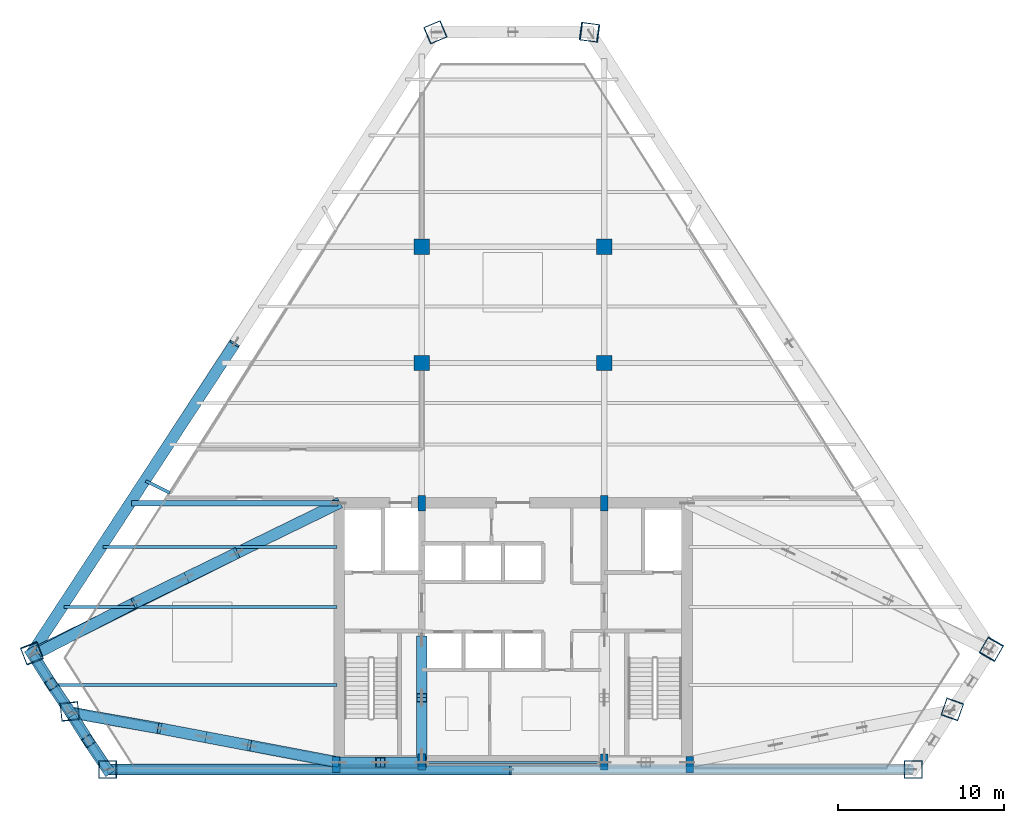
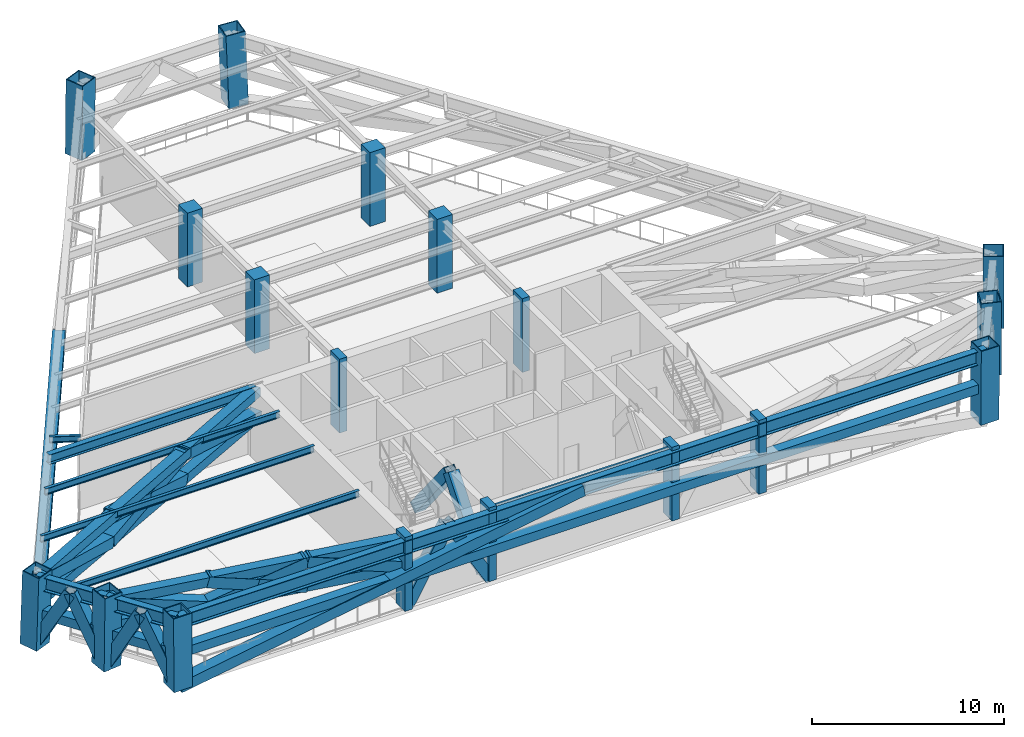
# One storey, part 1 of 9: 27 members, 18 columns, 9 beams.
"""IFC4 building model written with IfcOpenShell, lengths in metres."""

from ifc_helpers import new_model, si_unit, direction, frame, origin, origin_2d, place, context, subcontext, project, spatial, rectangle, hollow_rectangle, i_section, extrude, source, transform, mapped, material, material_profile, profile_set, type_object, type_shapes, element, save


model = new_model("IFC4")

# Units and contexts
model_context = context("Model", 3, precision=1e-05, world=origin(), true_north=direction((0.0, 1.0)))
body_context = subcontext(model_context, "Body", "Model", "MODEL_VIEW")
ifc_project = project(units=[si_unit("LENGTHUNIT", "METRE"), si_unit("AREAUNIT", "SQUARE_METRE"), si_unit("VOLUMEUNIT", "CUBIC_METRE"), si_unit("PLANEANGLEUNIT", "RADIAN"), si_unit("MASSUNIT", "GRAM", prefix="KILO")], contexts=[model_context])

# Site, building, storey
site_placement = place(None, origin())
site = spatial("IfcSite", under=ifc_project, at=site_placement, CompositionType="ELEMENT")
building_placement = place(site_placement, origin())
building = spatial("IfcBuilding", under=site, at=building_placement, Name="Varnakhor Terracotta Tower", CompositionType="ELEMENT")
storey_placement = place(building_placement, frame((0.0, 0.0, 166.300048828125)))
storey = spatial("IfcBuildingStorey", under=building, at=storey_placement, Name="L42", CompositionType="ELEMENT", Elevation=166.300048828125)

# Columns
ifc_material_1 = material(Name="Concrete C50/60", Category="concrete")
ifc_material_profile_1 = material_profile(ifc_material_1, rectangle(XDim=0.449951171875, YDim=0.949951171875, at=origin_2d()), Name="RC PILASTER 950x450")
ifc_profile_set_1 = profile_set([ifc_material_profile_1], Name="Concrete C50/60")
column_type_1 = type_object("IfcColumnType", Name="COL-PIL-950x450", PredefinedType="PILASTER", material=ifc_profile_set_1)
shared_shape_1 = source(origin(), body_context, "Body", "SweptSolid", [
    extrude(rectangle(XDim=0.449951171875, YDim=0.949951171875, at=origin_2d()), origin(), (0.0, 0.0, 1.0), 4.699951171875),
])
for number, where, z_axis, x_axis, name in (
    (1, (-10.64990234375, 0.300048828125, 0.0), (0.0, 0.0, 1.0), (1.0, 0.0, 0.0), "L42 Core Pilaster CP1"),
    (2, (-5.5, 0.449951171875, 0.0), (0.0, 0.0, 1.0), (1.0, 0.0, 0.0), "L42 Core Pilaster CP2"),
    (3, (5.5, 0.449951171875, 0.0), (0.0, 0.0, 1.0), (1.0, 0.0, 0.0), "L42 Core Pilaster CP3"),
    (4, (10.64990234375, 0.300048828125, 0.0), (0.0, 0.0, 1.0), (1.0, 0.0, 0.0), "L42 Core Pilaster CP4"),
    (5, (-5.5, 16.050048828125, 0.0), (0.0, 0.0, 1.0), (1.0, 0.0, 0.0), "L42 Core Pilaster CP5"),
    (6, (5.5, 16.050048828125, 0.0), (0.0, 0.0, 1.0), (1.0, 0.0, 0.0), "L42 Core Pilaster CP6"),
):
    element("IfcColumn", number, at=place(storey_placement, frame(where, z_axis=z_axis, x_axis=x_axis)), inside=storey, type_object=column_type_1, Name=name, PredefinedType="PILASTER", context=body_context, shape_type="MappedRepresentation", body=[
        mapped(shared_shape_1, transform((0.0, 0.0, 0.0), scale=1.0)),
    ])
ifc_material_2 = material(Name="Steel S460", Category="steel")
ifc_material_profile_2 = material_profile(ifc_material_2, hollow_rectangle(XDim=1.10009765625, YDim=1.10009765625, WallThickness=0.054931640625, at=origin_2d()), Name="BOX 1100x1100x55")
ifc_profile_set_2 = profile_set([ifc_material_profile_2], Name="Steel S460")
column_type_2 = type_object("IfcColumnType", Name="COL-MEGA-1100", PredefinedType="COLUMN", material=ifc_profile_set_2)
shared_shape_2 = source(origin(), body_context, "Body", "SweptSolid", [
    extrude(hollow_rectangle(XDim=1.10009765625, YDim=1.10009765625, WallThickness=0.054931640625, at=origin_2d()), origin(), (0.0, 0.0, 1.0), 4.69140625),
])
column_1_placement = place(storey_placement, frame((-24.4375, 0.0, 0.00439453125), z_axis=(-0.008690798497, 0.0, 0.999962234298), x_axis=(0.0, -1.0, 0.0)))
element("IfcColumn", 7, at=column_1_placement, inside=storey, type_object=column_type_2, Name="L42 Perimeter Mega-Column M1", PredefinedType="COLUMN", context=body_context, shape_type="MappedRepresentation", body=[
    mapped(shared_shape_2, transform((0.0, 0.0, 0.0), scale=1.0)),
])
shared_shape_3 = source(origin(), body_context, "Body", "SweptSolid", [
    extrude(hollow_rectangle(XDim=1.10009765625, YDim=1.10009765625, WallThickness=0.054931640625, at=origin_2d()), origin(), (0.0, 0.0, 1.0), 4.691162109375),
])
column_2_placement = place(storey_placement, frame((24.11669921875, 0.0, 0.00439453125), z_axis=(0.006765392916, 0.0, 0.999977114467), x_axis=(0.0, 1.0, 0.0)))
element("IfcColumn", 8, at=column_2_placement, inside=storey, type_object=column_type_2, Name="L42 Perimeter Mega-Column M2", PredefinedType="COLUMN", context=body_context, shape_type="MappedRepresentation", body=[
    mapped(shared_shape_3, transform((0.0, 0.0, 0.0), scale=1.0)),
])
shared_shape_4 = source(origin(), body_context, "Body", "SweptSolid", [
    extrude(hollow_rectangle(XDim=1.10009765625, YDim=1.10009765625, WallThickness=0.054931640625, at=origin_2d()), origin(), (0.0, 0.0, 1.0), 4.691650390625),
])
for number, where, z_axis, x_axis, name in (
    (9, (26.477294921875, 3.63134765625, 0.00439453125), (-0.005255651366, -0.014934375665, 0.999874663421), (0.943293332831, -0.331960371484, 0.0), "L42 Perimeter Mega-Column M3"),
    (10, (-4.689208984375, 44.428955078125, 0.00439453125), (0.01181271858, 0.004943648745, 0.999918006647), (-0.386057671614, 0.922474646908, 0.0), "L42 Perimeter Mega-Column M6"),
    (11, (-26.72216796875, 3.50830078125, 0.00439453125), (0.001717192258, -0.015766947098, 0.999874219405), (0.994121454153, 0.108270653423, 0.0), "L42 Perimeter Mega-Column M8"),
):
    element("IfcColumn", number, at=place(storey_placement, frame(where, z_axis=z_axis, x_axis=x_axis)), inside=storey, type_object=column_type_2, Name=name, PredefinedType="COLUMN", context=body_context, shape_type="MappedRepresentation", body=[
        mapped(shared_shape_4, transform((0.0, 0.0, 0.0), scale=1.0)),
    ])
shared_shape_5 = source(origin(), body_context, "Body", "SweptSolid", [
    extrude(hollow_rectangle(XDim=1.10009765625, YDim=1.10009765625, WallThickness=0.054931640625, at=origin_2d()), origin(), (0.0, 0.0, 1.0), 4.69384765625),
])
for number, where, z_axis, x_axis, name in (
    (12, (28.83740234375, 7.2626953125, 0.00439453125), (-0.017163922923, -0.029802811621, 0.999408421102), (0.866563000652, -0.499067696711, 0.0), "L42 Perimeter Mega-Column M4"),
    (13, (-29.007080078125, 7.016357421875, 0.00439453125), (0.012223057782, -0.031467872163, 0.999430022503), (0.932149171083, 0.362074471413, 0.0), "L42 Perimeter Mega-Column M7"),
):
    element("IfcColumn", number, at=place(storey_placement, frame(where, z_axis=z_axis, x_axis=x_axis)), inside=storey, type_object=column_type_2, Name=name, PredefinedType="COLUMN", context=body_context, shape_type="MappedRepresentation", body=[
        mapped(shared_shape_5, transform((0.0, 0.0, 0.0), scale=1.0)),
    ])
shared_shape_6 = source(origin(), body_context, "Body", "SweptSolid", [
    extrude(hollow_rectangle(XDim=1.10009765625, YDim=1.10009765625, WallThickness=0.054931640625, at=origin_2d()), origin(), (0.0, 0.0, 1.0), 4.694580078125),
])
column_3_placement = place(storey_placement, frame((4.63134765625, 44.428955078125, 0.00439453125), z_axis=(-0.037547855838, 0.004940507347, 0.999282617636), x_axis=(-0.130454512571, -0.991454295543, 0.0)))
element("IfcColumn", 14, at=column_3_placement, inside=storey, type_object=column_type_2, Name="L42 Perimeter Mega-Column M5", PredefinedType="COLUMN", context=body_context, shape_type="MappedRepresentation", body=[
    mapped(shared_shape_6, transform((0.0, 0.0, 0.0), scale=1.0)),
])
ifc_material_profile_3 = material_profile(ifc_material_1, rectangle(XDim=0.919921875, YDim=0.919921875, at=origin_2d()), Name="RC 920x920")
ifc_profile_set_3 = profile_set([ifc_material_profile_3], Name="Concrete C50/60")
column_type_3 = type_object("IfcColumnType", Name="COL-RC-920", PredefinedType="COLUMN", material=ifc_profile_set_3)
shared_shape_7 = source(origin(), body_context, "Body", "SweptSolid", [
    extrude(rectangle(XDim=0.919921875, YDim=0.919921875, at=origin_2d()), origin(), (0.0, 0.0, 1.0), 4.699951171875),
])
for number, where, z_axis, x_axis, name in (
    (15, (-5.5, 24.5, 0.0), (0.0, 0.0, 1.0), (1.0, 0.0, 0.0), "L42 Interior Tower Column IC1"),
    (16, (5.5, 24.5, 0.0), (0.0, 0.0, 1.0), (1.0, 0.0, 0.0), "L42 Interior Tower Column IC2"),
    (17, (-5.5, 31.5, 0.0), (0.0, 0.0, 1.0), (1.0, 0.0, 0.0), "L42 Interior Tower Column IC3"),
    (18, (5.5, 31.5, 0.0), (0.0, 0.0, 1.0), (1.0, 0.0, 0.0), "L42 Interior Tower Column IC4"),
):
    element("IfcColumn", number, at=place(storey_placement, frame(where, z_axis=z_axis, x_axis=x_axis)), inside=storey, type_object=column_type_3, Name=name, PredefinedType="COLUMN", context=body_context, shape_type="MappedRepresentation", body=[
        mapped(shared_shape_7, transform((0.0, 0.0, 0.0), scale=1.0)),
    ])

# Beams
ifc_material_3 = material(Name="Steel S355", Category="steel")
ifc_material_profile_4 = material_profile(ifc_material_3, i_section(OverallWidth=0.1201171875, OverallDepth=0.239990234375, WebThickness=0.006103515625, FlangeThickness=0.009765625, FilletRadius=0.01806640625, at=origin_2d()), Name="IPE240")
ifc_profile_set_4 = profile_set([ifc_material_profile_4], Name="Steel S355")
beam_type_1 = type_object("IfcBeamType", Name="LNT-IPE240", PredefinedType="LINTEL", material=ifc_profile_set_4)
shared_shape_8 = source(origin(), body_context, "Body", "SweptSolid", [
    extrude(i_section(OverallWidth=0.1201171875, OverallDepth=0.239990234375, WebThickness=0.006103515625, FlangeThickness=0.009765625, FilletRadius=0.01806640625, at=origin_2d()), origin(), (0.0, 0.0, 1.0), 11.0),
])
type_shapes(beam_type_1, [shared_shape_8])
beam_1_placement = place(storey_placement, frame((-5.5, 0.419921875, 4.349853515625), z_axis=(1.0, 0.0, 0.0), x_axis=(0.0, 1.0, 0.0)))
element("IfcBeam", 19, at=beam_1_placement, inside=storey, type_object=beam_type_1, Name="L42 Core South Coupling Lintel", PredefinedType="LINTEL", context=body_context, shape_type="MappedRepresentation", body=[
    mapped(shared_shape_8, transform((0.0, 0.0, 0.0), scale=1.0)),
])
ifc_material_profile_5 = material_profile(ifc_material_3, i_section(OverallWidth=0.39990234375, OverallDepth=0.85498046875, WebThickness=0.01806640625, FlangeThickness=0.029052734375, FilletRadius=0.01806640625, at=origin_2d()), Name="W33X201")
ifc_profile_set_5 = profile_set([ifc_material_profile_5], Name="Steel S355")
beam_type_2 = type_object("IfcBeamType", Name="BM-W33X201", PredefinedType="BEAM", material=ifc_profile_set_5)
shared_shape_9 = source(origin(), body_context, "Body", "SweptSolid", [
    extrude(i_section(OverallWidth=0.39990234375, OverallDepth=0.85498046875, WebThickness=0.01806640625, FlangeThickness=0.029052734375, FilletRadius=0.01806640625, at=origin_2d()), origin(), (0.0, 0.0, 1.0), 48.626708984375),
])
beam_2_placement = place(storey_placement, frame((-24.478271484375, 0.0, 4.04248046875), z_axis=(1.0, 0.0, 0.0), x_axis=(0.0, 1.0, 0.0)))
element("IfcBeam", 20, at=beam_2_placement, inside=storey, type_object=beam_type_2, Name="L42 Perimeter Spandrel 1", PredefinedType="BEAM", context=body_context, shape_type="MappedRepresentation", body=[
    mapped(shared_shape_9, transform((0.0, 0.0, 0.0), scale=1.0)),
])
shared_shape_10 = source(origin(), body_context, "Body", "SweptSolid", [
    extrude(i_section(OverallWidth=0.39990234375, OverallDepth=0.85498046875, WebThickness=0.01806640625, FlangeThickness=0.029052734375, FilletRadius=0.01806640625, at=origin_2d()), origin(), (0.0, 0.0, 1.0), 4.097900390625),
])
for number, where, z_axis, x_axis, name in (
    (21, (-28.94970703125, 6.86865234375, 4.04248046875), (0.545551544238, -0.838077271246, 0.0), (0.838077271246, 0.545551544238, 0.0), "L42 Perimeter Spandrel 7"),
    (22, (-26.714111328125, 3.434326171875, 4.04248046875), (0.545593387885, -0.83805003138, 0.0), (0.83805003138, 0.545593387885, 0.0), "L42 Perimeter Spandrel 8"),
):
    element("IfcBeam", number, at=place(storey_placement, frame(where, z_axis=z_axis, x_axis=x_axis)), inside=storey, type_object=beam_type_2, Name=name, PredefinedType="BEAM", context=body_context, shape_type="MappedRepresentation", body=[
        mapped(shared_shape_10, transform((0.0, 0.0, 0.0), scale=1.0)),
    ])
ifc_material_profile_6 = material_profile(ifc_material_3, i_section(OverallWidth=0.324951171875, OverallDepth=0.615966796875, WebThickness=0.013916015625, FlangeThickness=0.02197265625, FilletRadius=0.01806640625, at=origin_2d()), Name="W24X117")
ifc_profile_set_6 = profile_set([ifc_material_profile_6], Name="Steel S355")
beam_type_3 = type_object("IfcBeamType", Name="BM-W24X117", PredefinedType="BEAM", material=ifc_profile_set_6)
shared_shape_11 = source(origin(), body_context, "Body", "SweptSolid", [
    extrude(i_section(OverallWidth=0.324951171875, OverallDepth=0.615966796875, WebThickness=0.013916015625, FlangeThickness=0.02197265625, FilletRadius=0.01806640625, at=origin_2d()), origin(), (0.0, 0.0, 1.0), 12.45947265625),
])
beam_3_placement = place(storey_placement, frame((-23.009521484375, 16.050048828125, 4.161865234375), z_axis=(1.0, 0.0, 0.0), x_axis=(0.0, 1.0, 0.0)))
element("IfcBeam", 23, at=beam_3_placement, inside=storey, type_object=beam_type_3, Name="L42 Wing Girder W", PredefinedType="BEAM", context=body_context, shape_type="MappedRepresentation", body=[
    mapped(shared_shape_11, transform((0.0, 0.0, 0.0), scale=1.0)),
])
ifc_material_profile_7 = material_profile(ifc_material_3, i_section(OverallWidth=0.179931640625, OverallDepth=0.4130859375, WebThickness=0.009765625, FlangeThickness=0.01611328125, FilletRadius=0.01806640625, at=origin_2d()), Name="W16X50")
ifc_profile_set_7 = profile_set([ifc_material_profile_7], Name="Steel S355")
beam_type_4 = type_object("IfcBeamType", Name="JST-W16X50", PredefinedType="JOIST", material=ifc_profile_set_7)
shared_shape_12 = source(origin(), body_context, "Body", "SweptSolid", [
    extrude(i_section(OverallWidth=0.179931640625, OverallDepth=0.4130859375, WebThickness=0.009765625, FlangeThickness=0.01611328125, FilletRadius=0.01806640625, at=origin_2d()), origin(), (0.0, 0.0, 1.0), 17.1982421875),
])
beam_4_placement = place(storey_placement, frame((-27.79833984375, 5.10009765625, 4.263427734375), z_axis=(1.0, 0.0, 0.0), x_axis=(0.0, 1.0, 0.0)))
element("IfcBeam", 24, at=beam_4_placement, inside=storey, type_object=beam_type_4, Name="L42 Floor Joist W1", PredefinedType="JOIST", context=body_context, shape_type="MappedRepresentation", body=[
    mapped(shared_shape_12, transform((0.0, 0.0, 0.0), scale=1.0)),
])
shared_shape_13 = source(origin(), body_context, "Body", "SweptSolid", [
    extrude(i_section(OverallWidth=0.179931640625, OverallDepth=0.4130859375, WebThickness=0.009765625, FlangeThickness=0.01611328125, FilletRadius=0.01806640625, at=origin_2d()), origin(), (0.0, 0.0, 1.0), 16.453125),
])
beam_5_placement = place(storey_placement, frame((-27.05322265625, 9.800048828125, 4.263427734375), z_axis=(1.0, 0.0, 0.0), x_axis=(0.0, 1.0, 0.0)))
element("IfcBeam", 25, at=beam_5_placement, inside=storey, type_object=beam_type_4, Name="L42 Floor Joist W2", PredefinedType="JOIST", context=body_context, shape_type="MappedRepresentation", body=[
    mapped(shared_shape_13, transform((0.0, 0.0, 0.0), scale=1.0)),
])
shared_shape_14 = source(origin(), body_context, "Body", "SweptSolid", [
    extrude(i_section(OverallWidth=0.179931640625, OverallDepth=0.4130859375, WebThickness=0.009765625, FlangeThickness=0.01611328125, FilletRadius=0.01806640625, at=origin_2d()), origin(), (0.0, 0.0, 1.0), 14.1240234375),
])
beam_6_placement = place(storey_placement, frame((-24.72412109375, 13.39990234375, 4.263427734375), z_axis=(1.0, 0.0, 0.0), x_axis=(0.0, 1.0, 0.0)))
element("IfcBeam", 26, at=beam_6_placement, inside=storey, type_object=beam_type_4, Name="L42 Floor Joist W3", PredefinedType="JOIST", context=body_context, shape_type="MappedRepresentation", body=[
    mapped(shared_shape_14, transform((0.0, 0.0, 0.0), scale=1.0)),
])

# Members
ifc_material_profile_8 = material_profile(ifc_material_2, hollow_rectangle(XDim=0.64990234375, YDim=0.64990234375, WallThickness=0.0400390625, at=origin_2d()), Name="HSS650X650X40")
ifc_profile_set_8 = profile_set([ifc_material_profile_8], Name="Steel S460")
member_type_1 = type_object("IfcMemberType", Name="MBR-MEGA-650", PredefinedType="BRACE", material=ifc_profile_set_8)
shared_shape_15 = source(origin(), body_context, "Body", "SweptSolid", [
    extrude(hollow_rectangle(XDim=0.64990234375, YDim=0.64990234375, WallThickness=0.0400390625, at=origin_2d()), origin(), (0.0, 0.0, 1.0), 4.9912109375),
])
for number, where, z_axis, x_axis, name in (
    (27, (-10.5, 0.419921875, 0.0), (0.5008723715, 0.0, 0.86552115368), (0.0, 1.0, 0.0), "L42 Core Coupled Brace CSWA"),
    (28, (-5.5, 0.419921875, 0.0), (-0.5008723715, 0.0, 0.86552115368), (0.0, -1.0, 0.0), "L42 Core Coupled Brace CSWB"),
):
    element("IfcMember", number, at=place(storey_placement, frame(where, z_axis=z_axis, x_axis=x_axis)), inside=storey, type_object=member_type_1, Name=name, PredefinedType="BRACE", context=body_context, shape_type="MappedRepresentation", body=[
        mapped(shared_shape_15, transform((0.0, 0.0, 0.0), scale=1.0)),
    ])
shared_shape_16 = source(origin(), body_context, "Body", "SweptSolid", [
    extrude(hollow_rectangle(XDim=0.64990234375, YDim=0.64990234375, WallThickness=0.0400390625, at=origin_2d()), origin(), (0.0, 0.0, 1.0), 5.544189453125),
])
for number, where, z_axis, x_axis, name in (
    (29, (-5.5, 0.85009765625, 0.0), (0.0, 0.626760388554, 0.779212047738), (-1.0, 0.0, 0.0), "L42 Core Coupled Brace CWWA"),
    (30, (-5.5, 7.800048828125, 0.0), (0.0, -0.626787124677, 0.779190541742), (1.0, 0.0, 0.0), "L42 Core Coupled Brace CWWB"),
):
    element("IfcMember", number, at=place(storey_placement, frame(where, z_axis=z_axis, x_axis=x_axis)), inside=storey, type_object=member_type_1, Name=name, PredefinedType="BRACE", context=body_context, shape_type="MappedRepresentation", body=[
        mapped(shared_shape_16, transform((0.0, 0.0, 0.0), scale=1.0)),
    ])
ifc_material_profile_9 = material_profile(ifc_material_2, hollow_rectangle(XDim=0.679931640625, YDim=0.679931640625, WallThickness=0.048095703125, at=origin_2d()), Name="HSS680X680X48")
ifc_profile_set_9 = profile_set([ifc_material_profile_9], Name="Steel S460")
member_type_2 = type_object("IfcMemberType", Name="MBR-OUTRIGGER-680", PredefinedType="BRACE", material=ifc_profile_set_9)
shared_shape_17 = source(origin(), body_context, "Body", "SweptSolid", [
    extrude(hollow_rectangle(XDim=0.679931640625, YDim=0.679931640625, WallThickness=0.048095703125, at=origin_2d()), origin(), (0.0, 0.0, 1.0), 24.60693359375),
])
member_1_placement = place(storey_placement, frame((-24.4375, 0.0, 0.0), z_axis=(0.986413491851, 0.0, 0.164281536075), x_axis=(0.0, 1.0, 0.0)))
element("IfcMember", 31, at=member_1_placement, inside=storey, type_object=member_type_2, Name="L42 Belt-Truss Diagonal S1A", PredefinedType="BRACE", context=body_context, shape_type="MappedRepresentation", body=[
    mapped(shared_shape_17, transform((0.0, 0.0, 0.0), scale=1.0)),
])
ifc_material_profile_10 = material_profile(ifc_material_2, hollow_rectangle(XDim=0.580078125, YDim=0.580078125, WallThickness=0.0380859375, at=origin_2d()), Name="HSS580X580X38")
ifc_profile_set_10 = profile_set([ifc_material_profile_10], Name="Steel S460")
member_type_3 = type_object("IfcMemberType", Name="MBR-BELT-CHORD-580", PredefinedType="CHORD", material=ifc_profile_set_10)
shared_shape_18 = source(origin(), body_context, "Body", "SweptSolid", [
    extrude(hollow_rectangle(XDim=0.580078125, YDim=0.580078125, WallThickness=0.0380859375, at=origin_2d()), origin(), (0.0, 0.0, 1.0), 48.55419921875),
])
member_2_placement = place(storey_placement, frame((-24.4375, 0.0, 2.14990234375), z_axis=(1.0, 0.0, 0.0), x_axis=(0.0, 1.0, 0.0)))
element("IfcMember", 32, at=member_2_placement, inside=storey, type_object=member_type_3, Name="L42 Belt-Truss Bottom Chord S1", PredefinedType="CHORD", context=body_context, shape_type="MappedRepresentation", body=[
    mapped(shared_shape_18, transform((0.0, 0.0, 0.0), scale=1.0)),
])
shared_shape_19 = source(origin(), body_context, "Body", "SweptSolid", [
    extrude(hollow_rectangle(XDim=0.679931640625, YDim=0.679931640625, WallThickness=0.048095703125, at=origin_2d()), origin(), (0.0, 0.0, 1.0), 22.65283203125),
])
member_3_placement = place(storey_placement, frame((-29.007080078125, 7.016357421875, 0.0), z_axis=(0.539230287597, 0.823034000412, 0.178453722584), x_axis=(-0.836460610163, 0.548027050104, 0.0)))
element("IfcMember", 33, at=member_3_placement, inside=storey, type_object=member_type_2, Name="L42 Belt-Truss Diagonal NWB", PredefinedType="BRACE", context=body_context, shape_type="MappedRepresentation", body=[
    mapped(shared_shape_19, transform((0.0, 0.0, 0.0), scale=1.0)),
])
shared_shape_20 = source(origin(), body_context, "Body", "SweptSolid", [
    extrude(hollow_rectangle(XDim=0.679931640625, YDim=0.679931640625, WallThickness=0.048095703125, at=origin_2d()), origin(), (0.0, 0.0, 1.0), 4.6044921875),
])
member_4_placement = place(storey_placement, frame((-29.007080078125, 7.016357421875, 0.0), z_axis=(0.255255877151, -0.404994680033, 0.877965686303), x_axis=(0.845988599445, 0.533200984254, 0.0)))
element("IfcMember", 34, at=member_4_placement, inside=storey, type_object=member_type_2, Name="L42 Belt-Truss Diagonal W1A", PredefinedType="BRACE", context=body_context, shape_type="MappedRepresentation", body=[
    mapped(shared_shape_20, transform((0.0, 0.0, 0.0), scale=1.0)),
])
shared_shape_21 = source(origin(), body_context, "Body", "SweptSolid", [
    extrude(hollow_rectangle(XDim=0.679931640625, YDim=0.679931640625, WallThickness=0.048095703125, at=origin_2d()), origin(), (0.0, 0.0, 1.0), 4.502685546875),
])
member_5_placement = place(storey_placement, frame((-26.72216796875, 3.50830078125, 0.0), z_axis=(-0.246439851941, 0.364969558508, 0.89781101616), x_axis=(-0.828758737767, -0.559606070888, 0.0)))
element("IfcMember", 35, at=member_5_placement, inside=storey, type_object=member_type_2, Name="L42 Belt-Truss Diagonal W1B", PredefinedType="BRACE", context=body_context, shape_type="MappedRepresentation", body=[
    mapped(shared_shape_21, transform((0.0, 0.0, 0.0), scale=1.0)),
])
shared_shape_22 = source(origin(), body_context, "Body", "SweptSolid", [
    extrude(hollow_rectangle(XDim=0.580078125, YDim=0.580078125, WallThickness=0.0380859375, at=origin_2d()), origin(), (0.0, 0.0, 1.0), 4.1865234375),
])
for number, where, z_axis, x_axis, name in (
    (36, (-29.007080078125, 7.016357421875, 2.14990234375), (0.545773165164, -0.837932964017, 0.0), (0.837932964017, 0.545773165164, 0.0), "L42 Belt-Truss Bottom Chord W1"),
    (37, (-26.72216796875, 3.50830078125, 2.14990234375), (0.545705550657, -0.837976999674, 0.0), (0.837976999674, 0.545705550657, 0.0), "L42 Belt-Truss Bottom Chord W2"),
):
    element("IfcMember", number, at=place(storey_placement, frame(where, z_axis=z_axis, x_axis=x_axis)), inside=storey, type_object=member_type_3, Name=name, PredefinedType="CHORD", context=body_context, shape_type="MappedRepresentation", body=[
        mapped(shared_shape_22, transform((0.0, 0.0, 0.0), scale=1.0)),
    ])
shared_shape_23 = source(origin(), body_context, "Body", "SweptSolid", [
    extrude(hollow_rectangle(XDim=0.679931640625, YDim=0.679931640625, WallThickness=0.048095703125, at=origin_2d()), origin(), (0.0, 0.0, 1.0), 4.562744140625),
])
member_6_placement = place(storey_placement, frame((-26.72216796875, 3.50830078125, 0.0), z_axis=(0.246779444151, -0.392589068026, 0.885987431971), x_axis=(0.846627636464, 0.532185724325, 0.0)))
element("IfcMember", 38, at=member_6_placement, inside=storey, type_object=member_type_2, Name="L42 Belt-Truss Diagonal W2A", PredefinedType="BRACE", context=body_context, shape_type="MappedRepresentation", body=[
    mapped(shared_shape_23, transform((0.0, 0.0, 0.0), scale=1.0)),
])
shared_shape_24 = source(origin(), body_context, "Body", "SweptSolid", [
    extrude(hollow_rectangle(XDim=0.679931640625, YDim=0.679931640625, WallThickness=0.048095703125, at=origin_2d()), origin(), (0.0, 0.0, 1.0), 4.542236328125),
])
member_7_placement = place(storey_placement, frame((-24.4375, 0.0, 0.0), z_axis=(-0.25508942143, 0.378011778533, 0.88996431522), x_axis=(-0.82891835205, -0.559369614507, 0.0)))
element("IfcMember", 39, at=member_7_placement, inside=storey, type_object=member_type_2, Name="L42 Belt-Truss Diagonal W2B", PredefinedType="BRACE", context=body_context, shape_type="MappedRepresentation", body=[
    mapped(shared_shape_24, transform((0.0, 0.0, 0.0), scale=1.0)),
])
shared_shape_25 = source(origin(), body_context, "Body", "SweptSolid", [
    extrude(hollow_rectangle(XDim=0.580078125, YDim=0.580078125, WallThickness=0.0380859375, at=origin_2d()), origin(), (0.0, 0.0, 1.0), 16.513427734375),
])
member_8_placement = place(storey_placement, frame((-10.5, 0.419921875, 2.550048828125), z_axis=(-0.982355902185, 0.187021072189, 0.0), x_axis=(-0.187021072189, -0.982355902185, 0.0)))
element("IfcMember", 40, at=member_8_placement, inside=storey, type_object=member_type_3, Name="L42 Outrigger Bottom Chord OW1", PredefinedType="CHORD", context=body_context, shape_type="MappedRepresentation", body=[
    mapped(shared_shape_25, transform((0.0, 0.0, 0.0), scale=1.0)),
])
shared_shape_26 = source(origin(), body_context, "Body", "SweptSolid", [
    extrude(hollow_rectangle(XDim=0.580078125, YDim=0.580078125, WallThickness=0.0380859375, at=origin_2d()), origin(), (0.0, 0.0, 1.0), 16.491943359375),
])
member_9_placement = place(storey_placement, frame((-10.5, 0.419921875, 4.119873046875), z_axis=(-0.983153751801, 0.182780470292, 0.0), x_axis=(-0.182780470292, -0.983153751801, 0.0)))
element("IfcMember", 41, at=member_9_placement, inside=storey, type_object=member_type_3, Name="L42 Outrigger Top Chord OW1", PredefinedType="CHORD", context=body_context, shape_type="MappedRepresentation", body=[
    mapped(shared_shape_26, transform((0.0, 0.0, 0.0), scale=1.0)),
])
shared_shape_27 = source(origin(), body_context, "Body", "SweptSolid", [
    extrude(hollow_rectangle(XDim=0.679931640625, YDim=0.679931640625, WallThickness=0.048095703125, at=origin_2d()), origin(), (0.0, 0.0, 1.0), 5.72412109375),
])
member_10_placement = place(storey_placement, frame((-10.5, 0.419921875, 2.550048828125), z_axis=(-0.944688893423, 0.179861531607, 0.274249383029), x_axis=(-0.187032622957, -0.982353703077, 0.0)))
element("IfcMember", 42, at=member_10_placement, inside=storey, type_object=member_type_2, Name="L42 Outrigger Web Diagonal OW1-1", PredefinedType="BRACE", context=body_context, shape_type="MappedRepresentation", body=[
    mapped(shared_shape_27, transform((0.0, 0.0, 0.0), scale=1.0)),
])
shared_shape_28 = source(origin(), body_context, "Body", "SweptSolid", [
    extrude(hollow_rectangle(XDim=0.679931640625, YDim=0.679931640625, WallThickness=0.048095703125, at=origin_2d()), origin(), (0.0, 0.0, 1.0), 5.723876953125),
])
member_11_placement = place(storey_placement, frame((-15.907470703125, 1.449462890625, 4.119873046875), z_axis=(-0.944691552254, 0.179827505161, -0.27426253752), x_axis=(-0.186997969376, -0.982360300221, 0.0)))
element("IfcMember", 43, at=member_11_placement, inside=storey, type_object=member_type_2, Name="L42 Outrigger Continuous X-Diagonal OW1-2", PredefinedType="BRACE", context=body_context, shape_type="MappedRepresentation", body=[
    mapped(shared_shape_28, transform((0.0, 0.0, 0.0), scale=1.0)),
])
shared_shape_29 = source(origin(), body_context, "Body", "SweptSolid", [
    extrude(hollow_rectangle(XDim=0.679931640625, YDim=0.679931640625, WallThickness=0.048095703125, at=origin_2d()), origin(), (0.0, 0.0, 1.0), 2.86181640625),
])
for number, where, z_axis, x_axis, name in (
    (44, (-15.907470703125, 1.449462890625, 2.550048828125), (-0.944691552254, 0.179827505161, 0.27426253752), (-0.186997969376, -0.982360300221, 0.0), "L42 Outrigger Split X-Diagonal OW1-3A"),
    (45, (-18.611083984375, 1.964111328125, 3.3349609375), (-0.944691552254, 0.179827505161, 0.27426253752), (-0.186997969376, -0.982360300221, 0.0), "L42 Outrigger Split X-Diagonal OW1-3B"),
):
    element("IfcMember", number, at=place(storey_placement, frame(where, z_axis=z_axis, x_axis=x_axis)), inside=storey, type_object=member_type_2, Name=name, PredefinedType="BRACE", context=body_context, shape_type="MappedRepresentation", body=[
        mapped(shared_shape_29, transform((0.0, 0.0, 0.0), scale=1.0)),
    ])
shared_shape_30 = source(origin(), body_context, "Body", "SweptSolid", [
    extrude(hollow_rectangle(XDim=0.679931640625, YDim=0.679931640625, WallThickness=0.048095703125, at=origin_2d()), origin(), (0.0, 0.0, 1.0), 5.70361328125),
])
member_12_placement = place(storey_placement, frame((-21.314697265625, 2.478759765625, 2.550048828125), z_axis=(-0.946666645707, 0.16753722424, 0.275233610594), x_axis=(-0.174267908083, -0.984698276739, 0.0)))
element("IfcMember", 46, at=member_12_placement, inside=storey, type_object=member_type_2, Name="L42 Outrigger Web Diagonal OW1-4", PredefinedType="BRACE", context=body_context, shape_type="MappedRepresentation", body=[
    mapped(shared_shape_30, transform((0.0, 0.0, 0.0), scale=1.0)),
])
shared_shape_31 = source(origin(), body_context, "Body", "SweptSolid", [
    extrude(hollow_rectangle(XDim=0.580078125, YDim=0.580078125, WallThickness=0.0380859375, at=origin_2d()), origin(), (0.0, 0.0, 1.0), 20.59423828125),
])
member_13_placement = place(storey_placement, frame((-10.5, 16.050048828125, 2.550048828125), z_axis=(-0.898656533073, -0.438652978521, 0.0), x_axis=(0.438652978521, -0.898656533073, 0.0)))
element("IfcMember", 47, at=member_13_placement, inside=storey, type_object=member_type_3, Name="L42 Outrigger Bottom Chord OW2", PredefinedType="CHORD", context=body_context, shape_type="MappedRepresentation", body=[
    mapped(shared_shape_31, transform((0.0, 0.0, 0.0), scale=1.0)),
])
shared_shape_32 = source(origin(), body_context, "Body", "SweptSolid", [
    extrude(hollow_rectangle(XDim=0.580078125, YDim=0.580078125, WallThickness=0.0380859375, at=origin_2d()), origin(), (0.0, 0.0, 1.0), 20.60791015625),
])
member_14_placement = place(storey_placement, frame((-10.5, 16.050048828125, 4.119873046875), z_axis=(-0.895269098271, -0.445525803608, 0.0), x_axis=(0.445525803608, -0.895269098271, 0.0)))
element("IfcMember", 48, at=member_14_placement, inside=storey, type_object=member_type_3, Name="L42 Outrigger Top Chord OW2", PredefinedType="CHORD", context=body_context, shape_type="MappedRepresentation", body=[
    mapped(shared_shape_32, transform((0.0, 0.0, 0.0), scale=1.0)),
])
shared_shape_33 = source(origin(), body_context, "Body", "SweptSolid", [
    extrude(hollow_rectangle(XDim=0.679931640625, YDim=0.679931640625, WallThickness=0.048095703125, at=origin_2d()), origin(), (0.0, 0.0, 1.0), 7.041748046875),
])
for number, where, z_axis, x_axis, name in (
    (49, (-10.5, 16.050048828125, 2.550048828125), (-0.876039620072, -0.427618833068, 0.222927606343), (0.438657651725, -0.89865425197, 0.0), "L42 Outrigger Web Diagonal OW2-1"),
    (50, (-16.6689453125, 13.038818359375, 4.119873046875), (-0.876039620072, -0.427618833068, -0.222927606343), (0.438657651725, -0.89865425197, 0.0), "L42 Outrigger Continuous X-Diagonal OW2-2"),
):
    element("IfcMember", number, at=place(storey_placement, frame(where, z_axis=z_axis, x_axis=x_axis)), inside=storey, type_object=member_type_2, Name=name, PredefinedType="BRACE", context=body_context, shape_type="MappedRepresentation", body=[
        mapped(shared_shape_33, transform((0.0, 0.0, 0.0), scale=1.0)),
    ])
shared_shape_34 = source(origin(), body_context, "Body", "SweptSolid", [
    extrude(hollow_rectangle(XDim=0.679931640625, YDim=0.679931640625, WallThickness=0.048095703125, at=origin_2d()), origin(), (0.0, 0.0, 1.0), 3.52099609375),
])
for number, where, z_axis, x_axis, name in (
    (51, (-16.6689453125, 13.038818359375, 2.550048828125), (-0.876039620072, -0.427618833068, 0.222927606343), (0.438657651725, -0.89865425197, 0.0), "L42 Outrigger Split X-Diagonal OW2-3A"),
    (52, (-19.75341796875, 11.533203125, 3.3349609375), (-0.876039620072, -0.427618833068, 0.222927606343), (0.438657651725, -0.89865425197, 0.0), "L42 Outrigger Split X-Diagonal OW2-3B"),
):
    element("IfcMember", number, at=place(storey_placement, frame(where, z_axis=z_axis, x_axis=x_axis)), inside=storey, type_object=member_type_2, Name=name, PredefinedType="BRACE", context=body_context, shape_type="MappedRepresentation", body=[
        mapped(shared_shape_34, transform((0.0, 0.0, 0.0), scale=1.0)),
    ])
shared_shape_35 = source(origin(), body_context, "Body", "SweptSolid", [
    extrude(hollow_rectangle(XDim=0.679931640625, YDim=0.679931640625, WallThickness=0.048095703125, at=origin_2d()), origin(), (0.0, 0.0, 1.0), 7.056640625),
])
member_15_placement = place(storey_placement, frame((-22.837890625, 10.027587890625, 2.550048828125), z_axis=(-0.866096802747, -0.447648259597, 0.222457555391), x_axis=(0.459153556895, -0.888356916555, 0.0)))
element("IfcMember", 53, at=member_15_placement, inside=storey, type_object=member_type_2, Name="L42 Outrigger Web Diagonal OW2-4", PredefinedType="BRACE", context=body_context, shape_type="MappedRepresentation", body=[
    mapped(shared_shape_35, transform((0.0, 0.0, 0.0), scale=1.0)),
])

# Beam
ifc_material_profile_11 = material_profile(ifc_material_3, i_section(OverallWidth=0.179931640625, OverallDepth=0.39990234375, WebThickness=0.008544921875, FlangeThickness=0.013427734375, FilletRadius=0.01806640625, at=origin_2d()), Name="IPE400")
ifc_profile_set_11 = profile_set([ifc_material_profile_11], Name="Steel S355")
beam_type_5 = type_object("IfcBeamType", Name="JST-IPE400", PredefinedType="JOIST", material=ifc_profile_set_11)
shared_shape_36 = source(origin(), body_context, "Body", "SweptSolid", [
    extrude(i_section(OverallWidth=0.179931640625, OverallDepth=0.39990234375, WebThickness=0.008544921875, FlangeThickness=0.013427734375, FilletRadius=0.01806640625, at=origin_2d()), origin(), (0.0, 0.0, 1.0), 1.627685546875),
])
beam_7_placement = place(storey_placement, frame((-20.68505859375, 16.665283203125, 4.27001953125), z_axis=(-0.894756950052, 0.446553468618, 0.0), x_axis=(-0.446553468618, -0.894756950052, 0.0)))
element("IfcBeam", 54, at=beam_7_placement, inside=storey, type_object=beam_type_5, Name="L43 W Loggia Tie Beam 1", PredefinedType="JOIST", context=body_context, shape_type="MappedRepresentation", body=[
    mapped(shared_shape_36, transform((0.0, 0.0, 0.0), scale=1.0)),
])

save(model, "model.ifc")
